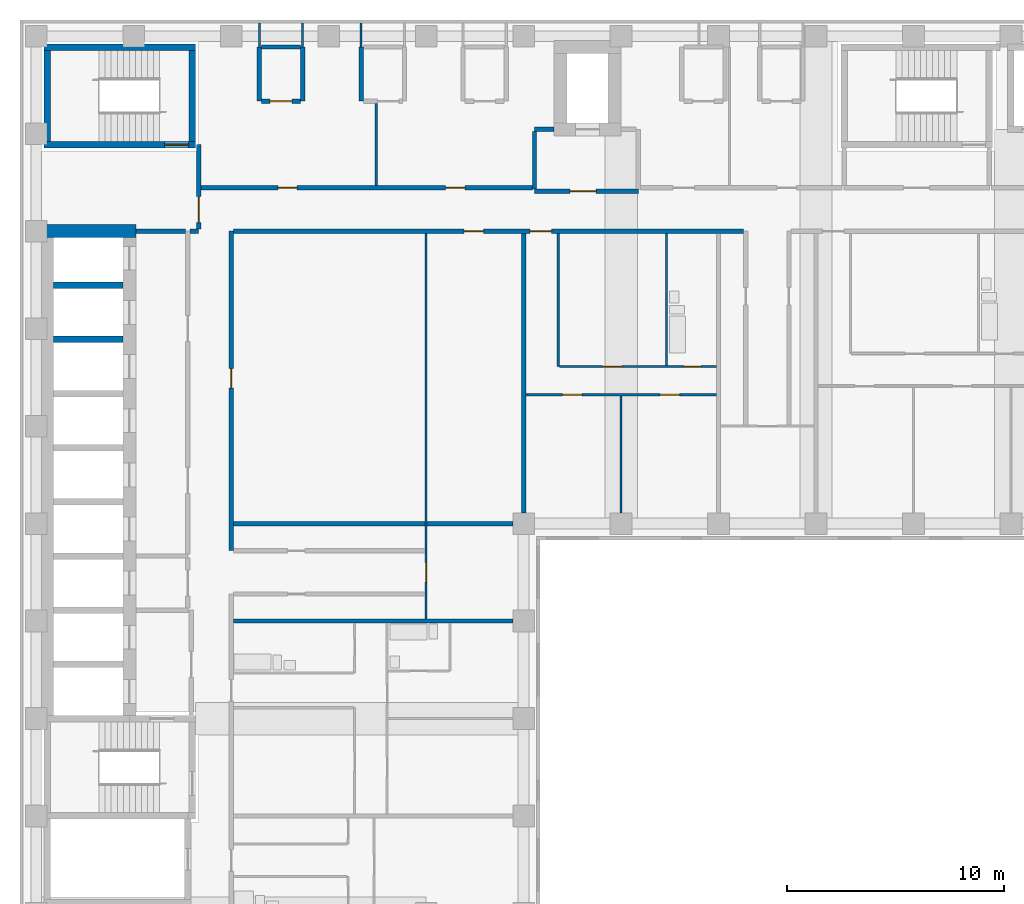
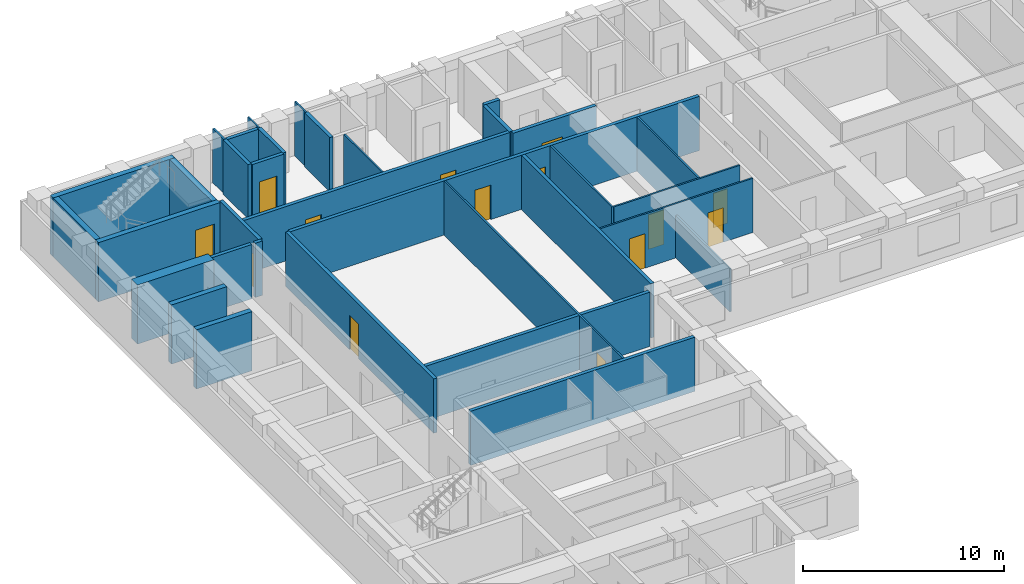
# One storey, part 5 of 12: 34 walls, 14 doors, 14 openings.
"""IFC4 building model written with IfcOpenShell, lengths in metres."""

from ifc_helpers import new_model, si_unit, direction, frame, frame_2d, origin, place, context, subcontext, project, spatial, rectangle, extrude, material, layer, layer_set, type_object, element, fill, save


model = new_model("IFC4")

# Units and contexts
model_context = context("Model", 3, precision=1e-05, world=origin(), true_north=direction((0.0, 1.0)))
body_context = subcontext(model_context, "Body", "Model", "MODEL_VIEW")
ifc_project = project(units=[si_unit("LENGTHUNIT", "METRE"), si_unit("AREAUNIT", "SQUARE_METRE"), si_unit("VOLUMEUNIT", "CUBIC_METRE"), si_unit("PLANEANGLEUNIT", "RADIAN"), si_unit("MASSUNIT", "GRAM", prefix="KILO")], contexts=[model_context])

# Site, building, storey
site_placement = place(None, origin())
site = spatial("IfcSite", under=ifc_project, at=site_placement, CompositionType="ELEMENT")
building_placement = place(site_placement, origin())
building = spatial("IfcBuilding", under=site, at=building_placement, Name="Firuza Court", CompositionType="ELEMENT")
storey_placement = place(building_placement, frame((0.0, 0.0, 148.39990234375)))
storey = spatial("IfcBuildingStorey", under=building, at=storey_placement, Name="L37", CompositionType="ELEMENT", Elevation=148.39990234375)

# Wall
ifc_material_1 = material(Name="Moisture-resistant gypsum board partition")
ifc_layer_1 = layer(ifc_material_1, 0.10009765625)
ifc_layer_set_1 = layer_set([ifc_layer_1], Name="Moisture-resistant gypsum board partition")
wall_type_1 = type_object("IfcWallType", Name="Bathroom partition 100", PredefinedType="PLUMBINGWALL", material=ifc_layer_set_1)
wall_1_placement = place(storey_placement, frame((29.10009765625, 43.300048828125, 0.0), z_axis=(0.0, 0.0, 1.0), x_axis=(0.0, 1.0, 0.0)))
element("IfcWall", 1, at=wall_1_placement, inside=storey, type_object=wall_type_1, Name="Bathroom partition 100 L37", PredefinedType="PLUMBINGWALL", context=body_context, shape_type="SweptSolid", body=[
    extrude(rectangle(XDim=6.099853515625, YDim=0.10009765625, at=frame_2d((3.0498046875, 0.0))), origin(), (0.0, 0.0, 1.0), 3.300048828125),
])

# Wall, opening, door
ifc_material_2 = material(Name="Concrete C60/75", Category="concrete")
ifc_layer_2 = layer(ifc_material_2, 0.300048828125)
ifc_layer_set_2 = layer_set([ifc_layer_2], Name="Concrete C60/75")
wall_type_2 = type_object("IfcWallType", Name="Core wall 300 C60/75", PredefinedType="SHEAR", material=ifc_layer_set_2)
wall_2_placement = place(storey_placement, frame((0.35009765625, 53.5, -0.2998046875), z_axis=(0.0, 0.0, 1.0), x_axis=(1.0, 0.0, 0.0)))
wall_2 = element("IfcWall", 2, at=wall_2_placement, inside=storey, type_object=wall_type_2, Name="Core wall stair L37", PredefinedType="SHEAR", context=body_context, shape_type="SweptSolid", body=[
    extrude(rectangle(XDim=7.0, YDim=0.300048828125, at=frame_2d((3.5, 0.0))), origin(), (0.0, 0.0, 1.0), 3.599853515625),
])
opening_1_placement = place(wall_2_placement, frame((5.580078125, 0.0, 0.300048828125)))
opening_1 = element("IfcOpeningElement", 3, at=opening_1_placement, cuts=wall_2, Name="Opening D37015", PredefinedType="OPENING", context=body_context, shape_type="SweptSolid", body=[
    extrude(rectangle(XDim=1.10009765625, YDim=2.10009765625, at=frame_2d((0.550048828125, 1.050048828125))), frame((0.0, 0.162109375, 0.0), z_axis=(0.0, -1.0, 0.0), x_axis=(1.0, 0.0, 0.0)), (0.0, 0.0, 1.0), 0.323974609375),
])
ifc_material_3 = material(Name="Timber door leaf in hardwood frame", Category="wood")
door_type_1 = type_object("IfcDoorType", Name="Stair door 1100", OperationType="SINGLE_SWING_LEFT", PredefinedType="DOOR", material=ifc_material_3)
door_1_placement = place(opening_1_placement, origin())
door_1 = element("IfcDoor", 4, at=door_1_placement, inside=storey, type_object=door_type_1, Name="Stair door S3", OperationType="SINGLE_SWING_RIGHT", OverallHeight=2.10009765625, OverallWidth=1.10009765625, PredefinedType="DOOR", context=body_context, shape_type="SweptSolid", body=[
    extrude(rectangle(XDim=1.10009765625, YDim=2.10009765625, at=frame_2d((0.550048828125, 1.050048828125))), frame((0.0, 0.02490234375, 0.0), z_axis=(0.0, -1.0, 0.0), x_axis=(1.0, 0.0, 0.0)), (0.0, 0.0, 1.0), 0.050048828125),
])
fill(opening_1, door_1)

# Walls
wall_3_placement = place(storey_placement, frame((0.35009765625, 58.0, -0.2998046875), z_axis=(0.0, 0.0, 1.0), x_axis=(1.0, 0.0, 0.0)))
element("IfcWall", 5, at=wall_3_placement, inside=storey, type_object=wall_type_2, Name="Core wall stair L37", PredefinedType="SHEAR", context=body_context, shape_type="SweptSolid", body=[
    extrude(rectangle(XDim=7.0, YDim=0.300048828125, at=frame_2d((3.5, 0.0))), origin(), (0.0, 0.0, 1.0), 3.599853515625),
])
wall_4_placement = place(storey_placement, frame((0.5, 53.64990234375, -0.2998046875), z_axis=(0.0, 0.0, 1.0), x_axis=(0.0, 1.0, 0.0)))
element("IfcWall", 6, at=wall_4_placement, inside=storey, type_object=wall_type_2, Name="Core wall stair L37", PredefinedType="SHEAR", context=body_context, shape_type="SweptSolid", body=[
    extrude(rectangle(XDim=4.2001953125, YDim=0.300048828125, at=frame_2d((2.10009765625, 0.0))), origin(), (0.0, 0.0, 1.0), 3.599853515625),
])
for number, where, z_axis, x_axis, name in (
    (7, (0.800048828125, 44.5, -0.2998046875), (0.0, 0.0, 1.0), (1.0, 0.0, 0.0), "Core wall lift shaft L37"),
    (8, (0.800048828125, 47.0, -0.2998046875), (0.0, 0.0, 1.0), (1.0, 0.0, 0.0), "Core wall lift shaft L37"),
):
    element("IfcWall", number, at=place(storey_placement, frame(where, z_axis=z_axis, x_axis=x_axis)), inside=storey, type_object=wall_type_2, Name=name, PredefinedType="SHEAR", context=body_context, shape_type="SweptSolid", body=[
        extrude(rectangle(XDim=3.199951171875, YDim=0.300048828125, at=frame_2d((1.60009765625, 0.0))), origin(), (0.0, 0.0, 1.0), 3.599853515625),
    ])
wall_5_placement = place(storey_placement, frame((7.199951171875, 53.64990234375, -0.2998046875), z_axis=(0.0, 0.0, 1.0), x_axis=(0.0, 1.0, 0.0)))
element("IfcWall", 9, at=wall_5_placement, inside=storey, type_object=wall_type_2, Name="Core wall stair L37", PredefinedType="SHEAR", context=body_context, shape_type="SweptSolid", body=[
    extrude(rectangle(XDim=4.2001953125, YDim=0.300048828125, at=frame_2d((2.10009765625, 0.0))), origin(), (0.0, 0.0, 1.0), 3.599853515625),
])
ifc_layer_3 = layer(ifc_material_2, 0.60009765625)
ifc_layer_set_3 = layer_set([ifc_layer_3], Name="Concrete C60/75")
wall_type_3 = type_object("IfcWallType", Name="Core wall 600 C60/75", PredefinedType="SHEAR", material=ifc_layer_set_3)
wall_6_placement = place(storey_placement, frame((0.199951171875, 49.5, -0.2998046875), z_axis=(0.0, 0.0, 1.0), x_axis=(1.0, 0.0, 0.0)))
element("IfcWall", 10, at=wall_6_placement, inside=storey, type_object=wall_type_3, Name="Core wall lift shaft L37", PredefinedType="SHEAR", context=body_context, shape_type="SweptSolid", body=[
    extrude(rectangle(XDim=4.400146484375, YDim=0.60009765625, at=frame_2d((2.2001953125, 0.0))), origin(), (0.0, 0.0, 1.0), 3.599853515625),
])

# Wall, opening, door
ifc_material_4 = material(Name="Blockwork, plastered both sides", Category="masonry")
ifc_layer_4 = layer(ifc_material_4, 0.199951171875)
ifc_layer_set_4 = layer_set([ifc_layer_4], Name="Blockwork, plastered both sides")
wall_type_4 = type_object("IfcWallType", Name="Corridor wall 200", PredefinedType="PARTITIONING", material=ifc_layer_set_4)
wall_7_placement = place(storey_placement, frame((9.0, 34.75, 0.0), z_axis=(0.0, 0.0, 1.0), x_axis=(0.0, 1.0, 0.0)))
wall_7 = element("IfcWall", 11, at=wall_7_placement, inside=storey, type_object=wall_type_4, Name="Corridor wall 200 L37", PredefinedType="PARTITIONING", context=body_context, shape_type="SweptSolid", body=[
    extrude(rectangle(XDim=14.75, YDim=0.199951171875, at=frame_2d((7.375, 0.0))), origin(), (0.0, 0.0, 1.0), 3.300048828125),
])
opening_2_placement = place(wall_7_placement, frame((7.5, 0.0, 0.0)))
opening_2 = element("IfcOpeningElement", 12, at=opening_2_placement, cuts=wall_7, Name="Opening D37040", PredefinedType="OPENING", context=body_context, shape_type="SweptSolid", body=[
    extrude(rectangle(XDim=0.89990234375, YDim=2.10009765625, at=frame_2d((0.449951171875, 1.050048828125))), frame((0.0, 0.11181640625, 0.0), z_axis=(0.0, -1.0, 0.0), x_axis=(1.0, 0.0, 0.0)), (0.0, 0.0, 1.0), 0.223876953125),
])
ifc_material_5 = material(Name="Timber door leaf in hardwood frame", Category="wood")
door_type_2 = type_object("IfcDoorType", Name="Room door 900 EI 30", OperationType="SINGLE_SWING_LEFT", PredefinedType="DOOR", material=ifc_material_5)
door_2_placement = place(opening_2_placement, origin())
door_2 = element("IfcDoor", 13, at=door_2_placement, inside=storey, type_object=door_type_2, Name="Residents' dining room door", OperationType="SINGLE_SWING_LEFT", OverallHeight=2.10009765625, OverallWidth=0.89990234375, PredefinedType="DOOR", context=body_context, shape_type="SweptSolid", body=[
    extrude(rectangle(XDim=0.89990234375, YDim=2.10009765625, at=frame_2d((0.449951171875, 1.050048828125))), frame((0.0, 0.02490234375, 0.0), z_axis=(0.0, -1.0, 0.0), x_axis=(1.0, 0.0, 0.0)), (0.0, 0.0, 1.0), 0.050048828125),
])
fill(opening_2, door_2)

# Wall, openings, doors
wall_8_placement = place(storey_placement, frame((9.10009765625, 49.5, 0.0), z_axis=(0.0, 0.0, 1.0), x_axis=(1.0, 0.0, 0.0)))
wall_8 = element("IfcWall", 14, at=wall_8_placement, inside=storey, type_object=wall_type_4, Name="Corridor wall 200 L37", PredefinedType="PARTITIONING", context=body_context, shape_type="SweptSolid", body=[
    extrude(rectangle(XDim=23.5498046875, YDim=0.199951171875, at=frame_2d((11.77490234375, 0.0))), origin(), (0.0, 0.0, 1.0), 3.300048828125),
])
opening_3_placement = place(wall_8_placement, frame((13.699951171875, 0.0, 0.0)))
opening_3 = element("IfcOpeningElement", 15, at=opening_3_placement, cuts=wall_8, Name="Opening D37066", PredefinedType="OPENING", context=body_context, shape_type="SweptSolid", body=[
    extrude(rectangle(XDim=1.0, YDim=2.10009765625, at=frame_2d((0.5, 1.050048828125))), frame((0.0, 0.11181640625, 0.0), z_axis=(0.0, -1.0, 0.0), x_axis=(1.0, 0.0, 0.0)), (0.0, 0.0, 1.0), 0.223876953125),
])
opening_4_placement = place(wall_8_placement, frame((10.64990234375, 0.0, 0.0)))
opening_4 = element("IfcOpeningElement", 16, at=opening_4_placement, cuts=wall_8, Name="Opening D37067", PredefinedType="OPENING", context=body_context, shape_type="SweptSolid", body=[
    extrude(rectangle(XDim=0.89990234375, YDim=2.10009765625, at=frame_2d((0.449951171875, 1.050048828125))), frame((0.0, 0.11181640625, 0.0), z_axis=(0.0, -1.0, 0.0), x_axis=(1.0, 0.0, 0.0)), (0.0, 0.0, 1.0), 0.223876953125),
])
ifc_material_6 = material(Name="Timber door leaf in hardwood frame", Category="wood")
door_type_3 = type_object("IfcDoorType", Name="Flat entrance door 1000", OperationType="SINGLE_SWING_LEFT", PredefinedType="DOOR", material=ifc_material_6)
door_3_placement = place(opening_3_placement, origin())
door_3 = element("IfcDoor", 17, at=door_3_placement, inside=storey, type_object=door_type_3, Name="Flat entrance door", OperationType="SINGLE_SWING_LEFT", OverallHeight=2.10009765625, OverallWidth=1.0, PredefinedType="DOOR", context=body_context, shape_type="SweptSolid", body=[
    extrude(rectangle(XDim=1.0, YDim=2.10009765625, at=frame_2d((0.5, 1.050048828125))), frame((0.0, 0.02490234375, 0.0), z_axis=(0.0, -1.0, 0.0), x_axis=(1.0, 0.0, 0.0)), (0.0, 0.0, 1.0), 0.050048828125),
])
fill(opening_3, door_3)
door_4_placement = place(opening_4_placement, frame((0.89990234375, 0.0, 0.0), z_axis=(0.0, 0.0, 1.0), x_axis=(-1.0, 0.0, 0.0)))
door_4 = element("IfcDoor", 18, at=door_4_placement, inside=storey, type_object=door_type_2, Name="Library door", OperationType="SINGLE_SWING_RIGHT", OverallHeight=2.10009765625, OverallWidth=0.89990234375, PredefinedType="DOOR", context=body_context, shape_type="SweptSolid", body=[
    extrude(rectangle(XDim=0.89990234375, YDim=2.10009765625, at=frame_2d((0.449951171875, 1.050048828125))), frame((0.0, 0.02490234375, 0.0), z_axis=(0.0, -1.0, 0.0), x_axis=(1.0, 0.0, 0.0)), (0.0, 0.0, 1.0), 0.050048828125),
])
fill(opening_4, door_4)

wall_9_placement = place(storey_placement, frame((7.60009765625, 51.5, 0.0), z_axis=(0.0, 0.0, 1.0), x_axis=(1.0, 0.0, 0.0)))
wall_9 = element("IfcWall", 19, at=wall_9_placement, inside=storey, type_object=wall_type_4, Name="Corridor wall 200 L37", PredefinedType="PARTITIONING", context=body_context, shape_type="SweptSolid", body=[
    extrude(rectangle(XDim=15.2998046875, YDim=0.199951171875, at=frame_2d((7.64990234375, 0.0))), origin(), (0.0, 0.0, 1.0), 3.300048828125),
])
opening_5_placement = place(wall_9_placement, frame((3.550048828125, 0.0, 0.0)))
opening_5 = element("IfcOpeningElement", 20, at=opening_5_placement, cuts=wall_9, Name="Opening D37070", PredefinedType="OPENING", context=body_context, shape_type="SweptSolid", body=[
    extrude(rectangle(XDim=0.89990234375, YDim=2.10009765625, at=frame_2d((0.449951171875, 1.050048828125))), frame((0.0, 0.11181640625, 0.0), z_axis=(0.0, -1.0, 0.0), x_axis=(1.0, 0.0, 0.0)), (0.0, 0.0, 1.0), 0.223876953125),
])
opening_6_placement = place(wall_9_placement, frame((11.300048828125, 0.0, 0.0)))
opening_6 = element("IfcOpeningElement", 21, at=opening_6_placement, cuts=wall_9, Name="Opening D37071", PredefinedType="OPENING", context=body_context, shape_type="SweptSolid", body=[
    extrude(rectangle(XDim=0.89990234375, YDim=2.10009765625, at=frame_2d((0.449951171875, 1.050048828125))), frame((0.0, 0.11181640625, 0.0), z_axis=(0.0, -1.0, 0.0), x_axis=(1.0, 0.0, 0.0)), (0.0, 0.0, 1.0), 0.223876953125),
])
door_5_placement = place(opening_5_placement, origin())
door_5 = element("IfcDoor", 22, at=door_5_placement, inside=storey, type_object=door_type_2, Name="Meeting room door", OperationType="SINGLE_SWING_LEFT", OverallHeight=2.10009765625, OverallWidth=0.89990234375, PredefinedType="DOOR", context=body_context, shape_type="SweptSolid", body=[
    extrude(rectangle(XDim=0.89990234375, YDim=2.10009765625, at=frame_2d((0.449951171875, 1.050048828125))), frame((0.0, 0.02490234375, 0.0), z_axis=(0.0, -1.0, 0.0), x_axis=(1.0, 0.0, 0.0)), (0.0, 0.0, 1.0), 0.050048828125),
])
fill(opening_5, door_5)
door_6_placement = place(opening_6_placement, origin())
door_6 = element("IfcDoor", 23, at=door_6_placement, inside=storey, type_object=door_type_2, Name="Meeting room door", OperationType="SINGLE_SWING_LEFT", OverallHeight=2.10009765625, OverallWidth=0.89990234375, PredefinedType="DOOR", context=body_context, shape_type="SweptSolid", body=[
    extrude(rectangle(XDim=0.89990234375, YDim=2.10009765625, at=frame_2d((0.449951171875, 1.050048828125))), frame((0.0, 0.02490234375, 0.0), z_axis=(0.0, -1.0, 0.0), x_axis=(1.0, 0.0, 0.0)), (0.0, 0.0, 1.0), 0.050048828125),
])
fill(opening_6, door_6)

# Wall, opening, door
ifc_material_7 = material(Name="Timber stud partition, plasterboard both sides", Category="wood")
ifc_layer_5 = layer(ifc_material_7, 0.10009765625)
ifc_layer_set_5 = layer_set([ifc_layer_5], Name="Timber stud partition, plasterboard both sides")
wall_type_5 = type_object("IfcWallType", Name="Partition wall 100", PredefinedType="PARTITIONING", material=ifc_layer_set_5)
wall_10_placement = place(storey_placement, frame((18.0, 31.60009765625, 0.0), z_axis=(0.0, 0.0, 1.0), x_axis=(0.0, 1.0, 0.0)))
wall_10 = element("IfcWall", 24, at=wall_10_placement, inside=storey, type_object=wall_type_5, Name="Partition wall 100 L37", PredefinedType="PARTITIONING", context=body_context, shape_type="SweptSolid", body=[
    extrude(rectangle(XDim=17.7998046875, YDim=0.10009765625, at=frame_2d((8.89990234375, 0.0))), origin(), (0.0, 0.0, 1.0), 3.300048828125),
])
opening_7_placement = place(wall_10_placement, frame((1.699951171875, 0.0, 0.0)))
opening_7 = element("IfcOpeningElement", 25, at=opening_7_placement, cuts=wall_10, Name="Opening D37038", PredefinedType="OPENING", context=body_context, shape_type="SweptSolid", body=[
    extrude(rectangle(XDim=0.89990234375, YDim=2.10009765625, at=frame_2d((0.449951171875, 1.050048828125))), frame((0.0, 0.06201171875, 0.0), z_axis=(0.0, -1.0, 0.0), x_axis=(1.0, 0.0, 0.0)), (0.0, 0.0, 1.0), 0.1240234375),
])
ifc_material_8 = material(Name="Timber door leaf in hardwood frame", Category="wood")
door_type_4 = type_object("IfcDoorType", Name="Room door 900", OperationType="SINGLE_SWING_LEFT", PredefinedType="DOOR", material=ifc_material_8)
door_7_placement = place(opening_7_placement, origin())
door_7 = element("IfcDoor", 26, at=door_7_placement, inside=storey, type_object=door_type_4, Name="Residents' lounge door", OperationType="SINGLE_SWING_LEFT", OverallHeight=2.10009765625, OverallWidth=0.89990234375, PredefinedType="DOOR", context=body_context, shape_type="SweptSolid", body=[
    extrude(rectangle(XDim=0.89990234375, YDim=2.10009765625, at=frame_2d((0.449951171875, 1.050048828125))), frame((0.0, 0.02490234375, 0.0), z_axis=(0.0, -1.0, 0.0), x_axis=(1.0, 0.0, 0.0)), (0.0, 0.0, 1.0), 0.050048828125),
])
fill(opening_7, door_7)

# Wall
wall_11_placement = place(storey_placement, frame((27.0, 36.5, 0.0), z_axis=(0.0, 0.0, 1.0), x_axis=(0.0, 1.0, 0.0)))
element("IfcWall", 27, at=wall_11_placement, inside=storey, type_object=wall_type_5, Name="Partition wall 100 L37", PredefinedType="PARTITIONING", context=body_context, shape_type="SweptSolid", body=[
    extrude(rectangle(XDim=5.39990234375, YDim=0.10009765625, at=frame_2d((2.699951171875, 0.0))), origin(), (0.0, 0.0, 1.0), 2.60009765625),
])

# Wall, openings, doors
wall_12_placement = place(storey_placement, frame((22.60009765625, 41.949951171875, 0.0), z_axis=(0.0, 0.0, 1.0), x_axis=(1.0, 0.0, 0.0)))
wall_12 = element("IfcWall", 28, at=wall_12_placement, inside=storey, type_object=wall_type_5, Name="Partition wall 100 L37", PredefinedType="PARTITIONING", context=body_context, shape_type="SweptSolid", body=[
    extrude(rectangle(XDim=8.7998046875, YDim=0.10009765625, at=frame_2d((4.39990234375, 0.0))), origin(), (0.0, 0.0, 1.0), 3.300048828125),
])
opening_8_placement = place(wall_12_placement, frame((1.699951171875, 0.0, 0.0)))
opening_8 = element("IfcOpeningElement", 29, at=opening_8_placement, cuts=wall_12, Name="Opening D37051", PredefinedType="OPENING", context=body_context, shape_type="SweptSolid", body=[
    extrude(rectangle(XDim=0.89990234375, YDim=2.10009765625, at=frame_2d((0.449951171875, 1.050048828125))), frame((0.0, 0.06201171875, 0.0), z_axis=(0.0, -1.0, 0.0), x_axis=(1.0, 0.0, 0.0)), (0.0, 0.0, 1.0), 0.1240234375),
])
opening_9_placement = place(wall_12_placement, frame((6.199951171875, 0.0, 0.0)))
opening_9 = element("IfcOpeningElement", 30, at=opening_9_placement, cuts=wall_12, Name="Opening D37052", PredefinedType="OPENING", context=body_context, shape_type="SweptSolid", body=[
    extrude(rectangle(XDim=0.89990234375, YDim=2.10009765625, at=frame_2d((0.449951171875, 1.050048828125))), frame((0.0, 0.06201171875, 0.0), z_axis=(0.0, -1.0, 0.0), x_axis=(1.0, 0.0, 0.0)), (0.0, 0.0, 1.0), 0.1240234375),
])
door_8_placement = place(opening_8_placement, frame((0.89990234375, 0.0, 0.0), z_axis=(0.0, 0.0, 1.0), x_axis=(-1.0, 0.0, 0.0)))
door_8 = element("IfcDoor", 31, at=door_8_placement, inside=storey, type_object=door_type_4, Name="Bedroom door", OperationType="SINGLE_SWING_RIGHT", OverallHeight=2.10009765625, OverallWidth=0.89990234375, PredefinedType="DOOR", context=body_context, shape_type="SweptSolid", body=[
    extrude(rectangle(XDim=0.89990234375, YDim=2.10009765625, at=frame_2d((0.449951171875, 1.050048828125))), frame((0.0, 0.02490234375, 0.0), z_axis=(0.0, -1.0, 0.0), x_axis=(1.0, 0.0, 0.0)), (0.0, 0.0, 1.0), 0.050048828125),
])
fill(opening_8, door_8)
door_9_placement = place(opening_9_placement, frame((0.89990234375, 0.0, 0.0), z_axis=(0.0, 0.0, 1.0), x_axis=(-1.0, 0.0, 0.0)))
door_9 = element("IfcDoor", 32, at=door_9_placement, inside=storey, type_object=door_type_4, Name="Living room door", OperationType="SINGLE_SWING_RIGHT", OverallHeight=2.10009765625, OverallWidth=0.89990234375, PredefinedType="DOOR", context=body_context, shape_type="SweptSolid", body=[
    extrude(rectangle(XDim=0.89990234375, YDim=2.10009765625, at=frame_2d((0.449951171875, 1.050048828125))), frame((0.0, 0.02490234375, 0.0), z_axis=(0.0, -1.0, 0.0), x_axis=(1.0, 0.0, 0.0)), (0.0, 0.0, 1.0), 0.050048828125),
])
fill(opening_9, door_9)

# Wall
wall_13_placement = place(storey_placement, frame((24.10009765625, 43.25, 0.0), z_axis=(0.0, 0.0, 1.0), x_axis=(0.0, 1.0, 0.0)))
element("IfcWall", 33, at=wall_13_placement, inside=storey, type_object=wall_type_5, Name="Partition wall 100 L37", PredefinedType="PARTITIONING", context=body_context, shape_type="SweptSolid", body=[
    extrude(rectangle(XDim=6.14990234375, YDim=0.10009765625, at=frame_2d((3.074951171875, 0.0))), origin(), (0.0, 0.0, 1.0), 3.300048828125),
])

# Wall, openings, doors
wall_14_placement = place(storey_placement, frame((24.14990234375, 43.25, 0.0), z_axis=(0.0, 0.0, 1.0), x_axis=(1.0, 0.0, 0.0)))
wall_14 = element("IfcWall", 34, at=wall_14_placement, inside=storey, type_object=wall_type_5, Name="Partition wall 100 L37", PredefinedType="PARTITIONING", context=body_context, shape_type="SweptSolid", body=[
    extrude(rectangle(XDim=7.25, YDim=0.10009765625, at=frame_2d((3.625, 0.0))), origin(), (0.0, 0.0, 1.0), 3.300048828125),
])
opening_10_placement = place(wall_14_placement, frame((5.75, 0.0, 0.0)))
opening_10 = element("IfcOpeningElement", 35, at=opening_10_placement, cuts=wall_14, Name="Opening D37056", PredefinedType="OPENING", context=body_context, shape_type="SweptSolid", body=[
    extrude(rectangle(XDim=0.800048828125, YDim=2.10009765625, at=frame_2d((0.39990234375, 1.050048828125))), frame((0.0, 0.06201171875, 0.0), z_axis=(0.0, -1.0, 0.0), x_axis=(1.0, 0.0, 0.0)), (0.0, 0.0, 1.0), 0.1240234375),
])
opening_11_placement = place(wall_14_placement, frame((2.0, 0.0, 0.0)))
opening_11 = element("IfcOpeningElement", 36, at=opening_11_placement, cuts=wall_14, Name="Opening D37057", PredefinedType="OPENING", context=body_context, shape_type="SweptSolid", body=[
    extrude(rectangle(XDim=0.89990234375, YDim=2.10009765625, at=frame_2d((0.449951171875, 1.050048828125))), frame((0.0, 0.06201171875, 0.0), z_axis=(0.0, -1.0, 0.0), x_axis=(1.0, 0.0, 0.0)), (0.0, 0.0, 1.0), 0.1240234375),
])
ifc_material_9 = material(Name="Timber door leaf in hardwood frame", Category="wood")
door_type_5 = type_object("IfcDoorType", Name="Bathroom door 800", OperationType="SINGLE_SWING_LEFT", PredefinedType="DOOR", material=ifc_material_9)
door_10_placement = place(opening_10_placement, origin())
door_10 = element("IfcDoor", 37, at=door_10_placement, inside=storey, type_object=door_type_5, Name="Bathroom door", OperationType="SINGLE_SWING_LEFT", OverallHeight=2.10009765625, OverallWidth=0.800048828125, PredefinedType="DOOR", context=body_context, shape_type="SweptSolid", body=[
    extrude(rectangle(XDim=0.800048828125, YDim=2.10009765625, at=frame_2d((0.39990234375, 1.050048828125))), frame((0.0, 0.02490234375, 0.0), z_axis=(0.0, -1.0, 0.0), x_axis=(1.0, 0.0, 0.0)), (0.0, 0.0, 1.0), 0.050048828125),
])
fill(opening_10, door_10)
door_11_placement = place(opening_11_placement, origin())
door_11 = element("IfcDoor", 38, at=door_11_placement, inside=storey, type_object=door_type_4, Name="Kitchen door", OperationType="SINGLE_SWING_LEFT", OverallHeight=2.10009765625, OverallWidth=0.89990234375, PredefinedType="DOOR", context=body_context, shape_type="SweptSolid", body=[
    extrude(rectangle(XDim=0.89990234375, YDim=2.10009765625, at=frame_2d((0.449951171875, 1.050048828125))), frame((0.0, 0.02490234375, 0.0), z_axis=(0.0, -1.0, 0.0), x_axis=(1.0, 0.0, 0.0)), (0.0, 0.0, 1.0), 0.050048828125),
])
fill(opening_11, door_11)

# Walls
wall_15_placement = place(storey_placement, frame((15.699951171875, 51.60009765625, 0.0), z_axis=(0.0, 0.0, 1.0), x_axis=(0.0, 1.0, 0.0)))
element("IfcWall", 39, at=wall_15_placement, inside=storey, type_object=wall_type_5, Name="Partition wall 100 L37", PredefinedType="PARTITIONING", context=body_context, shape_type="SweptSolid", body=[
    extrude(rectangle(XDim=3.7998046875, YDim=0.10009765625, at=frame_2d((1.89990234375, 0.0))), origin(), (0.0, 0.0, 1.0), 3.300048828125),
])
for number, where, z_axis, x_axis, name in (
    (40, (10.300048828125, 58.0, 0.0), (0.0, 0.0, 1.0), (0.0, 1.0, 0.0), "Partition wall 100 L37"),
    (41, (12.300048828125, 58.0, 0.0), (0.0, 0.0, 1.0), (0.0, 1.0, 0.0), "Partition wall 100 L37"),
    (42, (15.0, 58.0, 0.0), (0.0, 0.0, 1.0), (0.0, 1.0, 0.0), "Partition wall 100 L37"),
):
    element("IfcWall", number, at=place(storey_placement, frame(where, z_axis=z_axis, x_axis=x_axis)), inside=storey, type_object=wall_type_5, Name=name, PredefinedType="PARTITIONING", context=body_context, shape_type="SweptSolid", body=[
        extrude(rectangle(XDim=1.10009765625, YDim=0.10009765625, at=frame_2d((0.550048828125, 0.0))), origin(), (0.0, 0.0, 1.0), 3.300048828125),
    ])
ifc_layer_6 = layer(ifc_material_4, 0.199951171875)
ifc_layer_set_6 = layer_set([ifc_layer_6], Name="Blockwork, plastered both sides")
wall_type_6 = type_object("IfcWallType", Name="Party wall 200", PredefinedType="PARTITIONING", material=ifc_layer_set_6)
for number, where, z_axis, x_axis, name in (
    (43, (9.10009765625, 31.5, 0.0), (0.0, 0.0, 1.0), (1.0, 0.0, 0.0), "Party wall 200 L37"),
    (44, (9.10009765625, 36.0, 0.0), (0.0, 0.0, 1.0), (1.0, 0.0, 0.0), "Party wall 200 L37"),
    (45, (22.5, 36.5, 0.0), (0.0, 0.0, 1.0), (0.0, 1.0, 0.0), "Party wall 200 L37"),
):
    element("IfcWall", number, at=place(storey_placement, frame(where, z_axis=z_axis, x_axis=x_axis)), inside=storey, type_object=wall_type_6, Name=name, PredefinedType="PARTITIONING", context=body_context, shape_type="SweptSolid", body=[
        extrude(rectangle(XDim=12.89990234375, YDim=0.199951171875, at=frame_2d((6.449951171875, 0.0))), origin(), (0.0, 0.0, 1.0), 3.300048828125),
    ])
ifc_material_10 = material(Name="Blockwork, fire-rated", Category="masonry")
ifc_layer_7 = layer(ifc_material_10, 0.199951171875)
ifc_layer_set_7 = layer_set([ifc_layer_7], Name="Blockwork, fire-rated")
wall_type_7 = type_object("IfcWallType", Name="Plant room wall 200", PredefinedType="PARTITIONING", material=ifc_layer_set_7)
wall_16_placement = place(storey_placement, frame((10.300048828125, 55.5, 0.0), z_axis=(0.0, 0.0, 1.0), x_axis=(0.0, 1.0, 0.0)))
element("IfcWall", 46, at=wall_16_placement, inside=storey, type_object=wall_type_7, Name="Plant room wall 200 L37", PredefinedType="PARTITIONING", context=body_context, shape_type="SweptSolid", body=[
    extrude(rectangle(XDim=2.5, YDim=0.199951171875, at=frame_2d((1.25, 0.0))), origin(), (0.0, 0.0, 1.0), 3.300048828125),
])

# Wall, opening, door
wall_17_placement = place(storey_placement, frame((10.39990234375, 55.5, 0.0), z_axis=(0.0, 0.0, 1.0), x_axis=(1.0, 0.0, 0.0)))
wall_17 = element("IfcWall", 47, at=wall_17_placement, inside=storey, type_object=wall_type_7, Name="Plant room wall 200 L37", PredefinedType="PARTITIONING", context=body_context, shape_type="SweptSolid", body=[
    extrude(rectangle(XDim=1.800048828125, YDim=0.199951171875, at=frame_2d((0.89990234375, 0.0))), origin(), (0.0, 0.0, 1.0), 3.300048828125),
])
opening_12_placement = place(wall_17_placement, frame((0.39990234375, 0.0, 0.0)))
opening_12 = element("IfcOpeningElement", 48, at=opening_12_placement, cuts=wall_17, Name="Opening D37077", PredefinedType="OPENING", context=body_context, shape_type="SweptSolid", body=[
    extrude(rectangle(XDim=1.0, YDim=2.10009765625, at=frame_2d((0.5, 1.050048828125))), frame((0.0, 0.11181640625, 0.0), z_axis=(0.0, -1.0, 0.0), x_axis=(1.0, 0.0, 0.0)), (0.0, 0.0, 1.0), 0.223876953125),
])
ifc_material_11 = material(Name="Timber door leaf in hardwood frame", Category="wood")
door_type_6 = type_object("IfcDoorType", Name="Riser door 1000", OperationType="SINGLE_SWING_LEFT", PredefinedType="DOOR", material=ifc_material_11)
door_12_placement = place(opening_12_placement, origin())
door_12 = element("IfcDoor", 49, at=door_12_placement, inside=storey, type_object=door_type_6, Name="Comms riser door", OperationType="SINGLE_SWING_LEFT", OverallHeight=2.10009765625, OverallWidth=1.0, PredefinedType="DOOR", context=body_context, shape_type="SweptSolid", body=[
    extrude(rectangle(XDim=1.0, YDim=2.10009765625, at=frame_2d((0.5, 1.050048828125))), frame((0.0, 0.02490234375, 0.0), z_axis=(0.0, -1.0, 0.0), x_axis=(1.0, 0.0, 0.0)), (0.0, 0.0, 1.0), 0.050048828125),
])
fill(opening_12, door_12)

# Walls
for number, where, z_axis, x_axis, name in (
    (50, (12.300048828125, 55.5, 0.0), (0.0, 0.0, 1.0), (0.0, 1.0, 0.0), "Plant room wall 200 L37"),
    (51, (15.0, 55.5, 0.0), (0.0, 0.0, 1.0), (0.0, 1.0, 0.0), "Plant room wall 200 L37"),
):
    element("IfcWall", number, at=place(storey_placement, frame(where, z_axis=z_axis, x_axis=x_axis)), inside=storey, type_object=wall_type_7, Name=name, PredefinedType="PARTITIONING", context=body_context, shape_type="SweptSolid", body=[
        extrude(rectangle(XDim=2.5, YDim=0.199951171875, at=frame_2d((1.25, 0.0))), origin(), (0.0, 0.0, 1.0), 3.300048828125),
    ])
wall_18_placement = place(storey_placement, frame((10.39990234375, 58.0, 0.0), z_axis=(0.0, 0.0, 1.0), x_axis=(1.0, 0.0, 0.0)))
element("IfcWall", 52, at=wall_18_placement, inside=storey, type_object=wall_type_7, Name="Plant room wall 200 L37", PredefinedType="PARTITIONING", context=body_context, shape_type="SweptSolid", body=[
    extrude(rectangle(XDim=1.800048828125, YDim=0.199951171875, at=frame_2d((0.89990234375, 0.0))), origin(), (0.0, 0.0, 1.0), 3.300048828125),
])
ifc_layer_8 = layer(ifc_material_10, 0.199951171875)
ifc_layer_set_8 = layer_set([ifc_layer_8], Name="Blockwork, fire-rated")
wall_type_8 = type_object("IfcWallType", Name="Shaft wall 200", PredefinedType="PARTITIONING", material=ifc_layer_set_8)
wall_19_placement = place(storey_placement, frame((4.60009765625, 49.5, 0.0), z_axis=(0.0, 0.0, 1.0), x_axis=(1.0, 0.0, 0.0)))
element("IfcWall", 53, at=wall_19_placement, inside=storey, type_object=wall_type_8, Name="Shaft wall 200 L37", PredefinedType="PARTITIONING", context=body_context, shape_type="SweptSolid", body=[
    extrude(rectangle(XDim=2.2998046875, YDim=0.199951171875, at=frame_2d((1.14990234375, 0.0))), origin(), (0.0, 0.0, 1.0), 3.300048828125),
])

# Wall, opening, door
wall_20_placement = place(storey_placement, frame((23.0, 51.35009765625, 0.0), z_axis=(0.0, 0.0, 1.0), x_axis=(1.0, 0.0, 0.0)))
wall_20 = element("IfcWall", 54, at=wall_20_placement, inside=storey, type_object=wall_type_8, Name="Shaft wall 200 L37", PredefinedType="PARTITIONING", context=body_context, shape_type="SweptSolid", body=[
    extrude(rectangle(XDim=4.800048828125, YDim=0.199951171875, at=frame_2d((2.39990234375, 0.0))), origin(), (0.0, 0.0, 1.0), 3.300048828125),
])
opening_13_placement = place(wall_20_placement, frame((1.64990234375, 0.0, 0.0)))
opening_13 = element("IfcOpeningElement", 55, at=opening_13_placement, cuts=wall_20, Name="Opening D37003", PredefinedType="OPENING", context=body_context, shape_type="SweptSolid", body=[
    extrude(rectangle(XDim=1.199951171875, YDim=2.10009765625, at=frame_2d((0.60009765625, 1.050048828125))), frame((0.0, 0.11181640625, 0.0), z_axis=(0.0, -1.0, 0.0), x_axis=(1.0, 0.0, 0.0)), (0.0, 0.0, 1.0), 0.223876953125),
])
ifc_material_12 = material(Name="Timber door leaf in hardwood frame", Category="wood")
door_type_7 = type_object("IfcDoorType", Name="Lobby door 1200", OperationType="SINGLE_SWING_LEFT", PredefinedType="DOOR", material=ifc_material_12)
door_13_placement = place(opening_13_placement, origin())
door_13 = element("IfcDoor", 56, at=door_13_placement, inside=storey, type_object=door_type_7, Name="Fire-fighting lobby door", OperationType="SINGLE_SWING_LEFT", OverallHeight=2.10009765625, OverallWidth=1.199951171875, PredefinedType="DOOR", context=body_context, shape_type="SweptSolid", body=[
    extrude(rectangle(XDim=1.199951171875, YDim=2.10009765625, at=frame_2d((0.60009765625, 1.050048828125))), frame((0.0, 0.02490234375, 0.0), z_axis=(0.0, -1.0, 0.0), x_axis=(1.0, 0.0, 0.0)), (0.0, 0.0, 1.0), 0.050048828125),
])
fill(opening_13, door_13)

# Walls
wall_21_placement = place(storey_placement, frame((23.0, 54.199951171875, 0.0), z_axis=(0.0, 0.0, 1.0), x_axis=(1.0, 0.0, 0.0)))
element("IfcWall", 57, at=wall_21_placement, inside=storey, type_object=wall_type_8, Name="Shaft wall 200 L37", PredefinedType="PARTITIONING", context=body_context, shape_type="SweptSolid", body=[
    extrude(rectangle(XDim=0.89990234375, YDim=0.199951171875, at=frame_2d((0.449951171875, 0.0))), origin(), (0.0, 0.0, 1.0), 3.300048828125),
])
wall_22_placement = place(storey_placement, frame((23.0, 51.449951171875, 0.0), z_axis=(0.0, 0.0, 1.0), x_axis=(0.0, 1.0, 0.0)))
element("IfcWall", 58, at=wall_22_placement, inside=storey, type_object=wall_type_8, Name="Shaft wall 200 L37", PredefinedType="PARTITIONING", context=body_context, shape_type="SweptSolid", body=[
    extrude(rectangle(XDim=2.650146484375, YDim=0.199951171875, at=frame_2d((1.3251953125, 0.0))), origin(), (0.0, 0.0, 1.0), 3.300048828125),
])
wall_23_placement = place(storey_placement, frame((7.10009765625, 49.5, 0.0), z_axis=(0.0, 0.0, 1.0), x_axis=(1.0, 0.0, 0.0)))
element("IfcWall", 59, at=wall_23_placement, inside=storey, type_object=wall_type_8, Name="Shaft wall 200 L37", PredefinedType="PARTITIONING", context=body_context, shape_type="SweptSolid", body=[
    extrude(rectangle(XDim=0.39990234375, YDim=0.199951171875, at=frame_2d((0.199951171875, 0.0))), origin(), (0.0, 0.0, 1.0), 3.300048828125),
])

# Wall, opening, door
wall_24_placement = place(storey_placement, frame((7.5, 49.60009765625, 0.0), z_axis=(0.0, 0.0, 1.0), x_axis=(0.0, 1.0, 0.0)))
wall_24 = element("IfcWall", 60, at=wall_24_placement, inside=storey, type_object=wall_type_8, Name="Shaft wall 200 L37", PredefinedType="PARTITIONING", context=body_context, shape_type="SweptSolid", body=[
    extrude(rectangle(XDim=3.89990234375, YDim=0.199951171875, at=frame_2d((1.949951171875, 0.0))), origin(), (0.0, 0.0, 1.0), 3.300048828125),
])
opening_14_placement = place(wall_24_placement, frame((0.300048828125, 0.0, 0.0)))
opening_14 = element("IfcOpeningElement", 61, at=opening_14_placement, cuts=wall_24, Name="Opening D37001", PredefinedType="OPENING", context=body_context, shape_type="SweptSolid", body=[
    extrude(rectangle(XDim=1.199951171875, YDim=2.10009765625, at=frame_2d((0.60009765625, 1.050048828125))), frame((0.0, 0.11181640625, 0.0), z_axis=(0.0, -1.0, 0.0), x_axis=(1.0, 0.0, 0.0)), (0.0, 0.0, 1.0), 0.223876953125),
])
door_14_placement = place(opening_14_placement, origin())
door_14 = element("IfcDoor", 62, at=door_14_placement, inside=storey, type_object=door_type_7, Name="Lobby door", OperationType="SINGLE_SWING_LEFT", OverallHeight=2.10009765625, OverallWidth=1.199951171875, PredefinedType="DOOR", context=body_context, shape_type="SweptSolid", body=[
    extrude(rectangle(XDim=1.199951171875, YDim=2.10009765625, at=frame_2d((0.60009765625, 1.050048828125))), frame((0.0, 0.02490234375, 0.0), z_axis=(0.0, -1.0, 0.0), x_axis=(1.0, 0.0, 0.0)), (0.0, 0.0, 1.0), 0.050048828125),
])
fill(opening_14, door_14)

save(model, "model.ifc")
